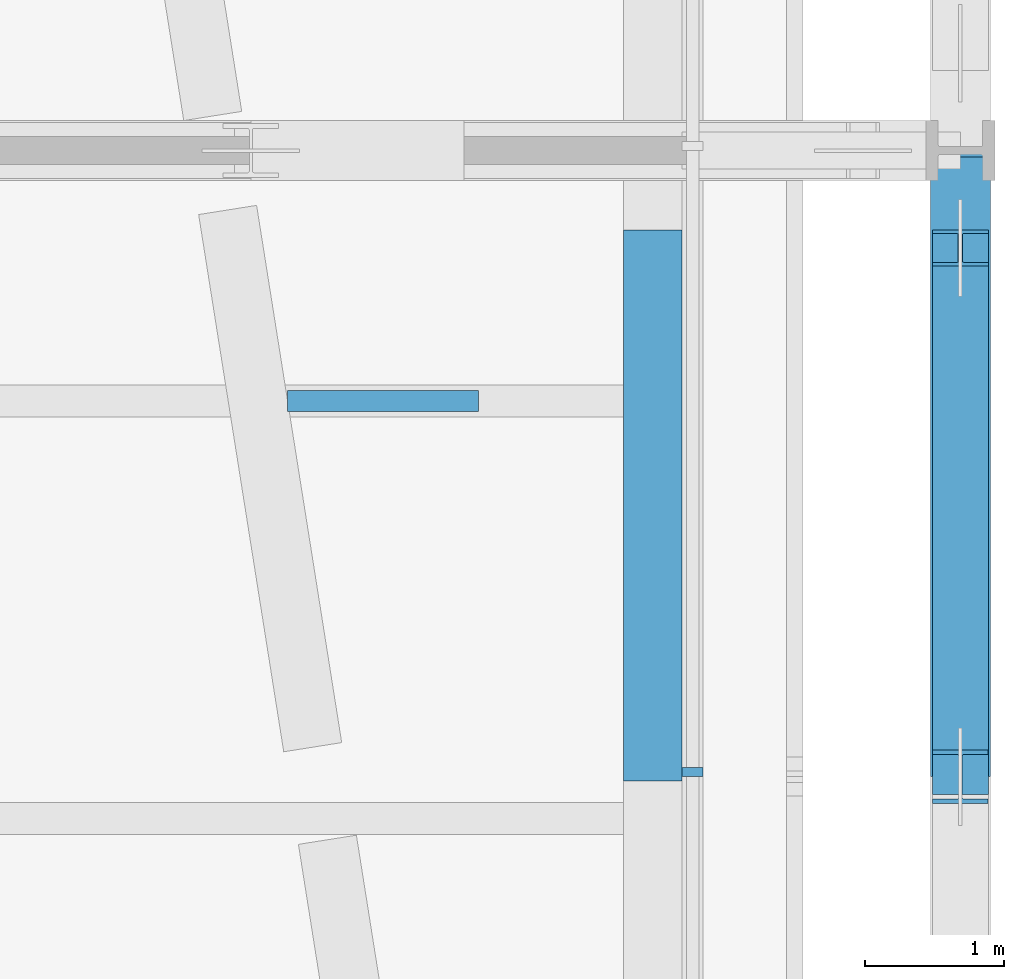
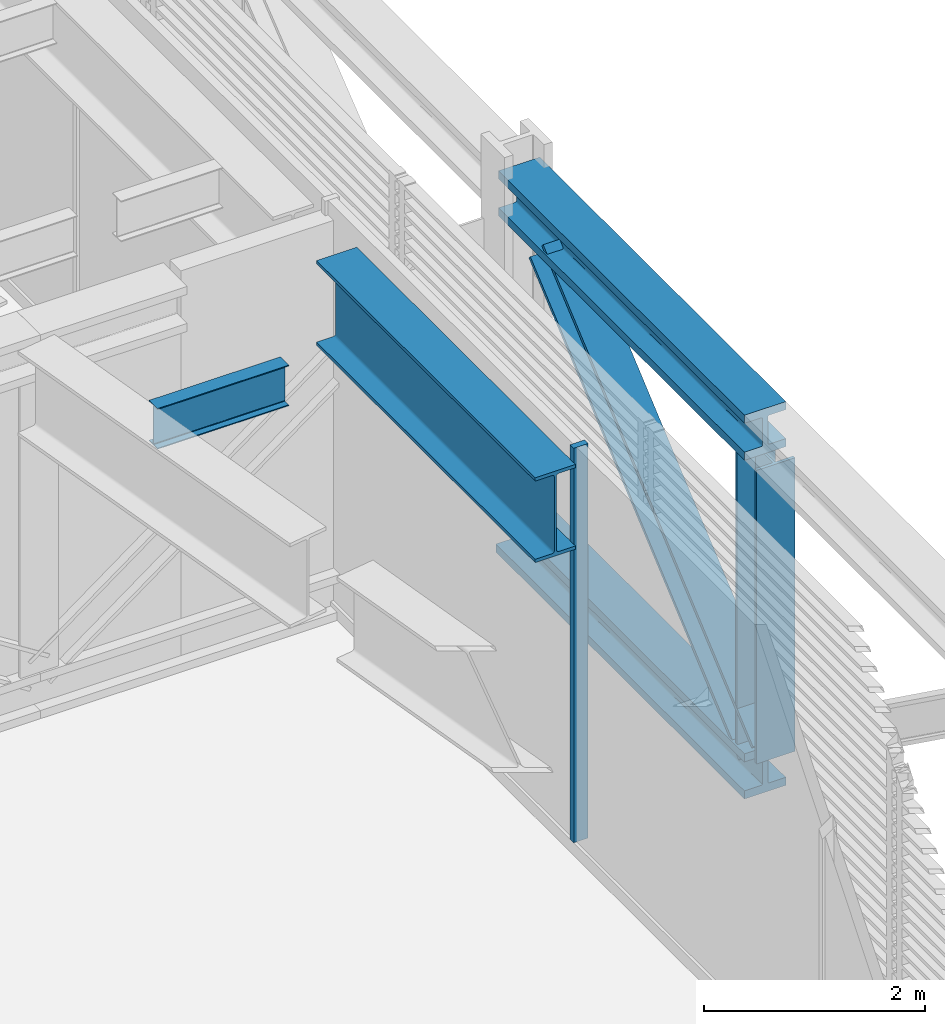
# One storey, part 13 of 31: 4 beams, 3 members, 1 element without a shape of its own.
"""IFC4 building model written with IfcOpenShell, lengths in metres."""

from ifc_helpers import new_model, si_unit, direction, frame, origin, origin_2d, place, context, subcontext, project, spatial, rectangle, i_section, extrude, material, layer, layer_set, material_profile, profile_set, type_object, element, aggregate, save


model = new_model("IFC4")

# Units and contexts
model_context = context("Model", 3, precision=1e-05, world=origin(), true_north=direction((0.0, 1.0)))
body_context = subcontext(model_context, "Body", "Model", "MODEL_VIEW")
ifc_project = project(units=[si_unit("LENGTHUNIT", "METRE"), si_unit("AREAUNIT", "SQUARE_METRE"), si_unit("VOLUMEUNIT", "CUBIC_METRE"), si_unit("PLANEANGLEUNIT", "RADIAN"), si_unit("MASSUNIT", "GRAM", prefix="KILO")], contexts=[model_context])

# Site, building, storey
site_placement = place(None, origin())
site = spatial("IfcSite", under=ifc_project, at=site_placement, CompositionType="ELEMENT")
building_placement = place(site_placement, origin())
building = spatial("IfcBuilding", under=site, at=building_placement, Name="Millrace Tower", CompositionType="ELEMENT")
storey_placement = place(building_placement, frame((0.0, 0.0, 120.39990234375)))
storey = spatial("IfcBuildingStorey", under=building, at=storey_placement, Name="L26", CompositionType="ELEMENT", Elevation=120.39990234375)

# Beams
ifc_material_1 = material(Name="Steel ASTM A992 Grade 50", Category="steel")
ifc_material_profile_1 = material_profile(ifc_material_1, i_section(OverallWidth=0.431884765625, OverallDepth=0.497802734375, WebThickness=0.0556640625, FlangeThickness=0.0888671875, FilletRadius=0.01513671875, at=origin_2d()))
ifc_profile_set_1 = profile_set([ifc_material_profile_1], Name="Steel ASTM A992 Grade 50")
beam_type_1 = type_object("IfcBeamType", Name="Belt truss chord W14x500", PredefinedType="BEAM", material=ifc_profile_set_1)
beam_1_placement = place(storey_placement, frame((30.199951171875, -2.699951171875, 0.2490234375), z_axis=(0.0, 1.0, 0.0), x_axis=(-1.0, 0.0, 0.0)))
element("IfcBeam", 1, at=beam_1_placement, inside=storey, type_object=beam_type_1, Name="BLT-L26-R07-B03", PredefinedType="BEAM", context=body_context, shape_type="SweptSolid", body=[
    extrude(i_section(OverallWidth=0.431884765625, OverallDepth=0.497802734375, WebThickness=0.0556640625, FlangeThickness=0.0888671875, FilletRadius=0.01513671875, at=origin_2d()), origin(), (0.0, 0.0, 1.0), 4.5),
])
beam_2_placement = place(storey_placement, frame((30.199951171875, -2.699951171875, 3.9912109375), z_axis=(0.0, 1.0, 0.0), x_axis=(-1.0, 0.0, 0.0)))
element("IfcBeam", 2, at=beam_2_placement, inside=storey, type_object=beam_type_1, Name="BLT-L26-R07-T03", PredefinedType="BEAM", context=body_context, shape_type="SweptSolid", body=[
    extrude(i_section(OverallWidth=0.431884765625, OverallDepth=0.497802734375, WebThickness=0.0556640625, FlangeThickness=0.0888671875, FilletRadius=0.01513671875, at=origin_2d()), origin(), (0.0, 0.0, 1.0), 4.45458984375),
])

# Members
ifc_material_2 = material(Name="Steel ASTM A992 Grade 50", Category="steel")
ifc_material_profile_2 = material_profile(ifc_material_2, i_section(OverallWidth=0.4013671875, OverallDepth=0.398681640625, WebThickness=0.02490234375, FlangeThickness=0.03955078125, FilletRadius=0.01513671875, at=origin_2d()))
ifc_profile_set_2 = profile_set([ifc_material_profile_2], Name="Steel ASTM A992 Grade 50")
member_type_1 = type_object("IfcMemberType", Name="Belt truss diagonal W14x211", PredefinedType="BRACE", material=ifc_profile_set_2)
member_1_placement = place(storey_placement, frame((30.199951171875, -2.699951171875, 0.498046875), z_axis=(0.0, 0.760545081281, 0.649285129461), x_axis=(-1.0, 0.0, 0.0)))
element("IfcMember", 3, at=member_1_placement, inside=storey, type_object=member_type_1, Name="BLT-L26-R07-D03", PredefinedType="BRACE", context=body_context, shape_type="SweptSolid", body=[
    extrude(i_section(OverallWidth=0.4013671875, OverallDepth=0.398681640625, WebThickness=0.02490234375, FlangeThickness=0.03955078125, FilletRadius=0.01513671875, at=origin_2d()), origin(), (0.0, 0.0, 1.0), 4.99658203125),
])
ifc_material_3 = material(Name="Steel ASTM A992 Grade 50", Category="steel")
ifc_material_profile_3 = material_profile(ifc_material_3, i_section(OverallWidth=0.398681640625, OverallDepth=0.385986328125, WebThickness=0.02099609375, FlangeThickness=0.033203125, FilletRadius=0.01513671875, at=origin_2d()))
ifc_profile_set_3 = profile_set([ifc_material_profile_3], Name="Steel ASTM A992 Grade 50")
member_type_2 = type_object("IfcMemberType", Name="Belt truss post W14x176", PredefinedType="POST", material=ifc_profile_set_3)
member_2_placement = place(storey_placement, frame((30.199951171875, -2.699951171875, 0.498046875), z_axis=(0.0, 0.0, 1.0), x_axis=(1.0, 0.0, 0.0)))
element("IfcMember", 4, at=member_2_placement, inside=storey, type_object=member_type_2, Name="BLT-L26-R07-V02", PredefinedType="POST", context=body_context, shape_type="SweptSolid", body=[
    extrude(i_section(OverallWidth=0.398681640625, OverallDepth=0.385986328125, WebThickness=0.02099609375, FlangeThickness=0.033203125, FilletRadius=0.01513671875, at=origin_2d()), origin(), (0.0, 0.0, 1.0), 3.244140625),
])

# Curtain wall, member
ifc_material_4 = material(Name="Aluminium and glass", Category="aluminium")
ifc_layer = layer(ifc_material_4, 0.14990234375)
ifc_layer_set = layer_set([ifc_layer], Name="Aluminium and glass")
curtain_wall_type = type_object("IfcCurtainWallType", Name="CW-5 truss and plant storey louvred infill", PredefinedType="NOTDEFINED", material=ifc_layer_set)
curtain_wall_placement = place(storey_placement, origin())
curtain_wall = element("IfcCurtainWall", 5, at=curtain_wall_placement, inside=storey, type_object=curtain_wall_type, Name="Curtain wall B-F04 L26", PredefinedType="NOTDEFINED")
ifc_material_5 = material(Name="Aluminium", Category="aluminium")
ifc_material_profile_4 = material_profile(ifc_material_5, rectangle(XDim=0.06494140625, YDim=0.14990234375, at=origin_2d()))
ifc_profile_set_4 = profile_set([ifc_material_profile_4], Name="Aluminium")
member_type_3 = type_object("IfcMemberType", Name="CW-5 truss and plant storey louvred infill mullion", PredefinedType="MULLION", material=ifc_profile_set_4)
member_3_placement = place(storey_placement, frame((28.27490234375, -2.66748046875, 0.14013671875), z_axis=(0.0, 0.0, 1.0), x_axis=(0.0, 1.0, 0.0)))
member_3 = element("IfcMember", 6, at=member_3_placement, type_object=member_type_3, Name="CW5 mullion B-F04.6", PredefinedType="MULLION", context=body_context, shape_type="SweptSolid", body=[
    extrude(rectangle(XDim=0.06494140625, YDim=0.14990234375, at=origin_2d()), origin(), (0.0, 0.0, 1.0), 4.35986328125),
])
aggregate(curtain_wall, [member_3])

# Beams
ifc_material_6 = material(Name="Steel ASTM A992 Grade 50", Category="steel")
ifc_material_profile_5 = material_profile(ifc_material_6, i_section(OverallWidth=0.15234375, OverallDepth=0.449462890625, WebThickness=0.007568359375, FlangeThickness=0.0107421875, FilletRadius=0.01025390625, at=origin_2d()))
ifc_profile_set_5 = profile_set([ifc_material_profile_5], Name="Steel ASTM A992 Grade 50")
beam_type_2 = type_object("IfcBeamType", Name="Floor beam W18x35", PredefinedType="JOIST", material=ifc_profile_set_5)
beam_3_placement = place(storey_placement, frame((25.364501953125, 0.0, 4.115234375), z_axis=(1.0, 0.0, 0.0), x_axis=(0.0, 1.0, 0.0)))
element("IfcBeam", 7, at=beam_3_placement, inside=storey, type_object=beam_type_2, Name="BM-B-L26-R2-S004", PredefinedType="JOIST", context=body_context, shape_type="SweptSolid", body=[
    extrude(i_section(OverallWidth=0.15234375, OverallDepth=0.449462890625, WebThickness=0.007568359375, FlangeThickness=0.0107421875, FilletRadius=0.01025390625, at=origin_2d()), origin(), (0.0, 0.0, 1.0), 1.371337890625),
])
ifc_material_7 = material(Name="Steel ASTM A992 Grade 50", Category="steel")
ifc_material_profile_6 = material_profile(ifc_material_7, i_section(OverallWidth=0.421630859375, OverallDepth=0.937255859375, WebThickness=0.021240234375, FlangeThickness=0.03662109375, FilletRadius=0.024169921875, at=origin_2d()))
ifc_profile_set_6 = profile_set([ifc_material_profile_6], Name="Steel ASTM A992 Grade 50")
beam_type_3 = type_object("IfcBeamType", Name="Ring beam short span W36x262", PredefinedType="SPANDREL", material=ifc_profile_set_6)
beam_4_placement = place(storey_placement, frame((27.9892578125, 1.228271484375, 3.87158203125), z_axis=(0.0, -1.0, 0.0), x_axis=(1.0, 0.0, 0.0)))
element("IfcBeam", 8, at=beam_4_placement, inside=storey, type_object=beam_type_3, Name="RNG-B-L26-R2-03-a", PredefinedType="SPANDREL", context=body_context, shape_type="SweptSolid", body=[
    extrude(i_section(OverallWidth=0.421630859375, OverallDepth=0.937255859375, WebThickness=0.021240234375, FlangeThickness=0.03662109375, FilletRadius=0.024169921875, at=origin_2d()), origin(), (0.0, 0.0, 1.0), 3.959716796875),
])

save(model, "model.ifc")
